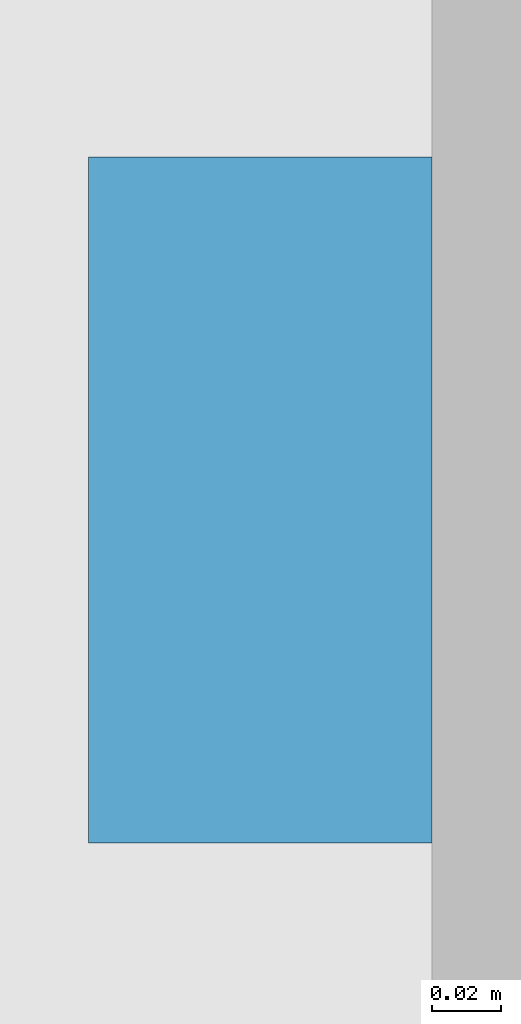
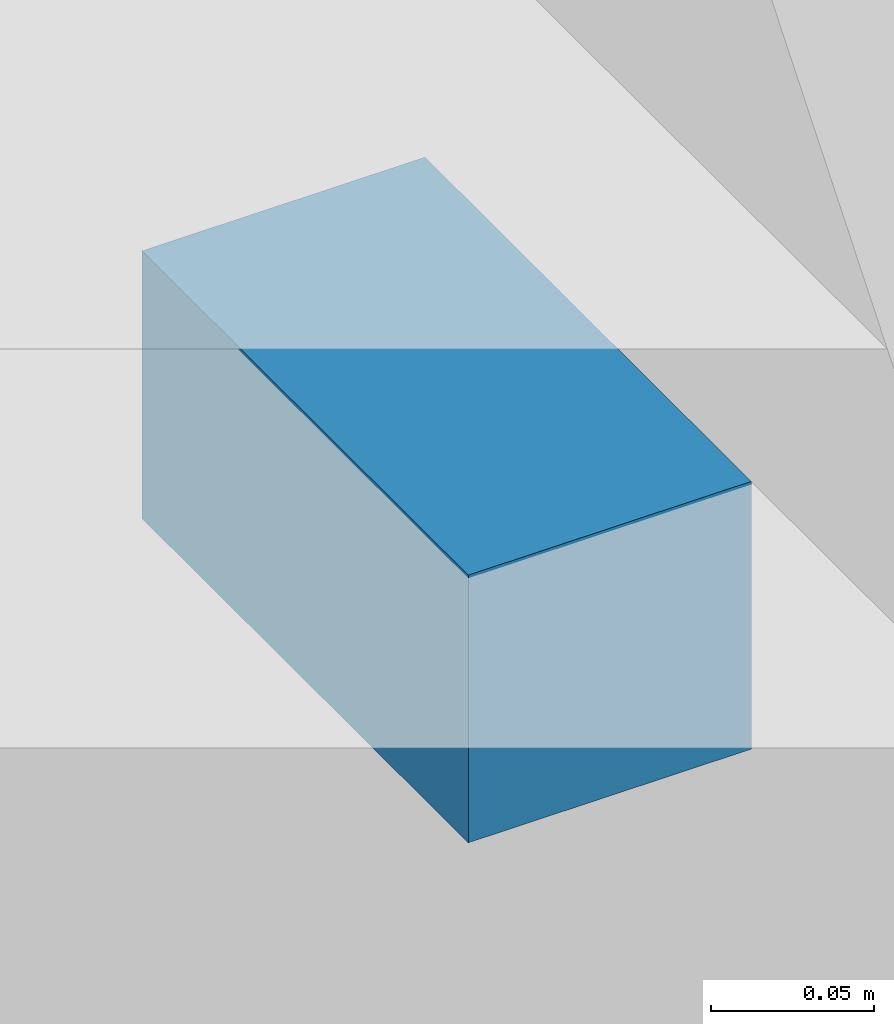
# One storey, part 15 of 17: 1 discrete accessory.
"""IFC4 building model written with IfcOpenShell, lengths in metres."""

from ifc_helpers import new_model, si_unit, direction, frame, origin, origin_2d, place, context, subcontext, project, spatial, rectangle, extrude, element, save


model = new_model("IFC4")

# Units and contexts
model_context = context("Model", 3, precision=1e-05, world=origin(), true_north=direction((0.0, 1.0)))
body_context = subcontext(model_context, "Body", "Model", "MODEL_VIEW")
ifc_project = project(units=[si_unit("LENGTHUNIT", "METRE"), si_unit("AREAUNIT", "SQUARE_METRE"), si_unit("VOLUMEUNIT", "CUBIC_METRE"), si_unit("PLANEANGLEUNIT", "RADIAN"), si_unit("MASSUNIT", "GRAM", prefix="KILO")], contexts=[model_context])

# Site, building, storey
site_placement = place(None, origin())
site = spatial("IfcSite", under=ifc_project, at=site_placement, CompositionType="ELEMENT")
building_placement = place(site_placement, origin())
building = spatial("IfcBuilding", under=site, at=building_placement, Name="Calvaro Tower", CompositionType="ELEMENT")
storey_placement = place(building_placement, frame((0.0, 0.0, 174.25)))
storey = spatial("IfcBuildingStorey", under=building, at=storey_placement, Name="L43", CompositionType="ELEMENT", Elevation=174.25)

# Discrete accessory
discrete_accessory_placement = place(storey_placement, frame((65.5, 3.60009765625, 2.349853515625), z_axis=(0.0, 0.0, 1.0), x_axis=(1.0, 0.0, 0.0)))
element("IfcDiscreteAccessory", 1, at=discrete_accessory_placement, inside=storey, Name="Brise-soleil bracket", PredefinedType="BRACKET", context=body_context, shape_type="SweptSolid", body=[
    extrude(rectangle(XDim=0.10009765625, YDim=0.199951171875, at=origin_2d()), origin(), (0.0, 0.0, 1.0), 0.10009765625),
])

save(model, "model.ifc")
